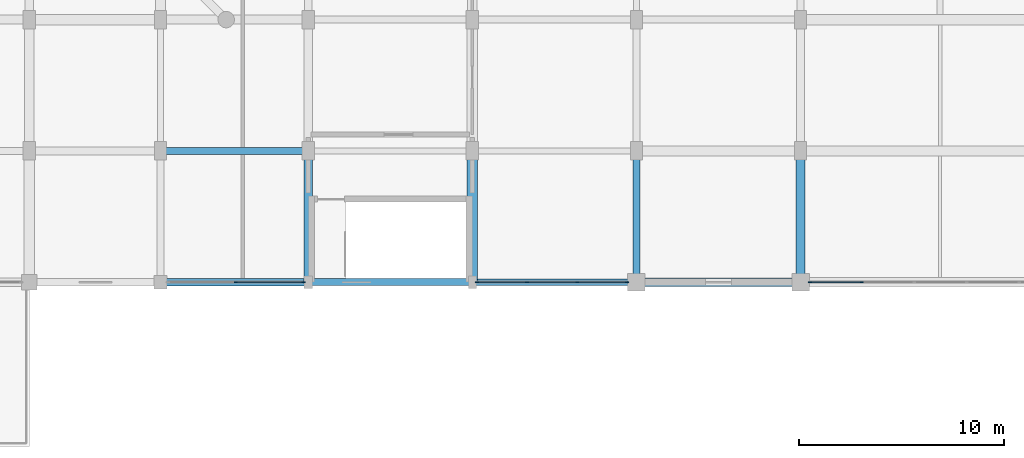
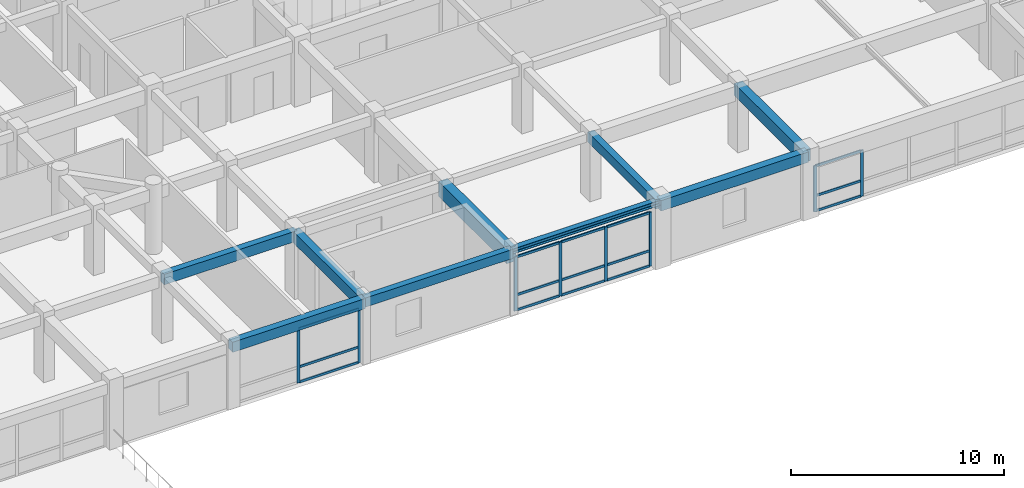
# One storey, part 9 of 27: 23 members, 9 beams, 3 elements without a shape of their own.
"""IFC4 building model written with IfcOpenShell, lengths in metres."""

from ifc_helpers import new_model, si_unit, direction, frame, origin, origin_2d, place, context, subcontext, project, spatial, rectangle, i_section, extrude, material, material_profile, profile_set, type_object, element, aggregate, save


model = new_model("IFC4")

# Units and contexts
model_context = context("Model", 3, precision=1e-05, world=origin(), true_north=direction((0.0, 1.0)))
body_context = subcontext(model_context, "Body", "Model", "MODEL_VIEW")
ifc_project = project(units=[si_unit("LENGTHUNIT", "METRE"), si_unit("AREAUNIT", "SQUARE_METRE"), si_unit("VOLUMEUNIT", "CUBIC_METRE"), si_unit("PLANEANGLEUNIT", "RADIAN"), si_unit("MASSUNIT", "GRAM", prefix="KILO")], contexts=[model_context])

# Site, building, storey
site_placement = place(None, origin())
site = spatial("IfcSite", under=ifc_project, at=site_placement, CompositionType="ELEMENT")
building_placement = place(site_placement, origin())
building = spatial("IfcBuilding", under=site, at=building_placement, Name="Vellmiral Cinema and Media Centre", CompositionType="ELEMENT")
storey_placement = place(building_placement, frame((0.0, 0.0, 19.800048828125)))
storey = spatial("IfcBuildingStorey", under=building, at=storey_placement, Name="L04", CompositionType="ELEMENT", Elevation=19.800048828125)

# Beams
ifc_material_1 = material(Name="Concrete C40/50", Category="concrete")
ifc_material_profile_1 = material_profile(ifc_material_1, rectangle(XDim=0.35009765625, YDim=0.550048828125, at=origin_2d()), Name="RC 350x550")
ifc_profile_set_1 = profile_set([ifc_material_profile_1], Name="Concrete C40/50")
beam_type_1 = type_object("IfcBeamType", Name="BM-RC-350x550", PredefinedType="BEAM", material=ifc_profile_set_1)
beam_1_placement = place(storey_placement, frame((140.0, 59.199951171875, 3.419921875), z_axis=(0.0, 1.0, 0.0), x_axis=(-1.0, 0.0, 0.0)))
element("IfcBeam", 1, at=beam_1_placement, inside=storey, type_object=beam_type_1, Name="Grid Beam L04-Y089", PredefinedType="BEAM", context=body_context, shape_type="SweptSolid", body=[
    extrude(rectangle(XDim=0.35009765625, YDim=0.550048828125, at=origin_2d()), origin(), (0.0, 0.0, 1.0), 6.400146484375),
])
ifc_material_2 = material(Name="Concrete C40/50", Category="concrete")
ifc_material_profile_2 = material_profile(ifc_material_2, rectangle(XDim=0.35009765625, YDim=0.60009765625, at=origin_2d()), Name="RC 350x600")
ifc_profile_set_2 = profile_set([ifc_material_profile_2], Name="Concrete C40/50")
beam_type_2 = type_object("IfcBeamType", Name="BM-RC-350x600", PredefinedType="BEAM", material=ifc_profile_set_2)
beam_2_placement = place(storey_placement, frame((116.800048828125, 65.60009765625, 3.39501953125), z_axis=(1.0, 0.0, 0.0), x_axis=(0.0, 1.0, 0.0)))
element("IfcBeam", 2, at=beam_2_placement, inside=storey, type_object=beam_type_2, Name="Grid Beam L04-X010", PredefinedType="BEAM", context=body_context, shape_type="SweptSolid", body=[
    extrude(rectangle(XDim=0.35009765625, YDim=0.60009765625, at=origin_2d()), origin(), (0.0, 0.0, 1.0), 7.199951171875),
])
ifc_material_3 = material(Name="Concrete C40/50", Category="concrete")
ifc_material_profile_3 = material_profile(ifc_material_3, rectangle(XDim=0.39990234375, YDim=0.64990234375, at=origin_2d()), Name="RC 400x650")
ifc_profile_set_3 = profile_set([ifc_material_profile_3], Name="Concrete C40/50")
beam_type_3 = type_object("IfcBeamType", Name="BM-RC-400x650", PredefinedType="BEAM", material=ifc_profile_set_3)
beam_3_placement = place(storey_placement, frame((124.0, 59.199951171875, 3.369873046875), z_axis=(0.0, 1.0, 0.0), x_axis=(-1.0, 0.0, 0.0)))
element("IfcBeam", 3, at=beam_3_placement, inside=storey, type_object=beam_type_3, Name="Grid Beam L04-Y075", PredefinedType="BEAM", context=body_context, shape_type="SweptSolid", body=[
    extrude(rectangle(XDim=0.39990234375, YDim=0.64990234375, at=origin_2d()), origin(), (0.0, 0.0, 1.0), 6.400146484375),
])
ifc_material_4 = material(Name="Concrete C40/50", Category="concrete")
ifc_material_profile_4 = material_profile(ifc_material_4, rectangle(XDim=0.449951171875, YDim=0.699951171875, at=origin_2d()), Name="RC 450x700")
ifc_profile_set_4 = profile_set([ifc_material_profile_4], Name="Concrete C40/50")
beam_type_4 = type_object("IfcBeamType", Name="BM-RC-450x700", PredefinedType="BEAM", material=ifc_profile_set_4)
beam_4_placement = place(storey_placement, frame((148.0, 59.199951171875, 3.344970703125), z_axis=(0.0, 1.0, 0.0), x_axis=(-1.0, 0.0, 0.0)))
element("IfcBeam", 4, at=beam_4_placement, inside=storey, type_object=beam_type_4, Name="Grid Beam L04-Y096", PredefinedType="BEAM", context=body_context, shape_type="SweptSolid", body=[
    extrude(rectangle(XDim=0.449951171875, YDim=0.699951171875, at=origin_2d()), origin(), (0.0, 0.0, 1.0), 6.400146484375),
])
ifc_material_5 = material(Name="Concrete C40/50", Category="concrete")
ifc_material_profile_5 = material_profile(ifc_material_5, rectangle(XDim=0.5, YDim=0.85009765625, at=origin_2d()), Name="RC 500x850")
ifc_profile_set_5 = profile_set([ifc_material_profile_5], Name="Concrete C40/50")
beam_type_5 = type_object("IfcBeamType", Name="BM-RC-500x850", PredefinedType="BEAM", material=ifc_profile_set_5)
beam_5_placement = place(storey_placement, frame((132.0, 59.199951171875, 3.27001953125), z_axis=(0.0, 1.0, 0.0), x_axis=(-1.0, 0.0, 0.0)))
element("IfcBeam", 5, at=beam_5_placement, inside=storey, type_object=beam_type_5, Name="Grid Beam L04-Y082", PredefinedType="BEAM", context=body_context, shape_type="SweptSolid", body=[
    extrude(rectangle(XDim=0.5, YDim=0.85009765625, at=origin_2d()), origin(), (0.0, 0.0, 1.0), 6.400146484375),
])

# Curtain wall, members
ifc_material_6 = material(Name="Thermally Broken Aluminium and Triple Glazing", Category="aluminium")
curtain_wall_type = type_object("IfcCurtainWallType", Name="CW-TOWER-LOW-S", PredefinedType="USERDEFINED", material=ifc_material_6)
curtain_wall_1_placement = place(storey_placement, origin())
curtain_wall_1 = element("IfcCurtainWall", 6, at=curtain_wall_1_placement, inside=storey, type_object=curtain_wall_type, Name="Curtain Wall L04-B005", ObjectType="UNITISED CURTAIN WALL", PredefinedType="USERDEFINED")
ifc_material_7 = material(Name="Thermally Broken Anodised Aluminium", Category="aluminium")
ifc_material_profile_6 = material_profile(ifc_material_7, rectangle(XDim=0.06494140625, YDim=0.159912109375, at=origin_2d()), Name="MULL 65x160")
ifc_profile_set_6 = profile_set([ifc_material_profile_6], Name="Thermally Broken Anodised Aluminium")
member_type_1 = type_object("IfcMemberType", Name="CWM-65x160", PredefinedType="MULLION", material=ifc_profile_set_6)
member_1_placement = place(storey_placement, frame((120.46240234375, 59.199951171875, 0.0), z_axis=(0.0, 0.0, 1.0), x_axis=(0.0, 1.0, 0.0)))
member_1 = element("IfcMember", 7, at=member_1_placement, type_object=member_type_1, Name="CW-06 mullion 2", PredefinedType="MULLION", context=body_context, shape_type="SweptSolid", body=[
    extrude(rectangle(XDim=0.06494140625, YDim=0.159912109375, at=origin_2d()), origin(), (0.0, 0.0, 1.0), 3.099853515625),
])
member_2_placement = place(storey_placement, frame((123.767578125, 59.199951171875, 0.0), z_axis=(0.0, 0.0, 1.0), x_axis=(0.0, 1.0, 0.0)))
member_2 = element("IfcMember", 8, at=member_2_placement, type_object=member_type_1, Name="CW-06 mullion 3", PredefinedType="MULLION", context=body_context, shape_type="SweptSolid", body=[
    extrude(rectangle(XDim=0.06494140625, YDim=0.159912109375, at=origin_2d()), origin(), (0.0, 0.0, 1.0), 3.099853515625),
])

curtain_wall_2_placement = place(storey_placement, origin())
curtain_wall_2 = element("IfcCurtainWall", 9, at=curtain_wall_2_placement, inside=storey, type_object=curtain_wall_type, Name="Curtain Wall L04-B007", ObjectType="UNITISED CURTAIN WALL", PredefinedType="USERDEFINED")
member_3_placement = place(storey_placement, frame((132.232421875, 59.199951171875, 0.0), z_axis=(0.0, 0.0, 1.0), x_axis=(0.0, 1.0, 0.0)))
member_3 = element("IfcMember", 10, at=member_3_placement, type_object=member_type_1, Name="CW-06 mullion 1", PredefinedType="MULLION", context=body_context, shape_type="SweptSolid", body=[
    extrude(rectangle(XDim=0.06494140625, YDim=0.159912109375, at=origin_2d()), origin(), (0.0, 0.0, 1.0), 3.099853515625),
])
member_4_placement = place(storey_placement, frame((134.658447265625, 59.199951171875, 0.0), z_axis=(0.0, 0.0, 1.0), x_axis=(0.0, 1.0, 0.0)))
member_4 = element("IfcMember", 11, at=member_4_placement, type_object=member_type_1, Name="CW-06 mullion 2", PredefinedType="MULLION", context=body_context, shape_type="SweptSolid", body=[
    extrude(rectangle(XDim=0.06494140625, YDim=0.159912109375, at=origin_2d()), origin(), (0.0, 0.0, 1.0), 3.099853515625),
])
member_5_placement = place(storey_placement, frame((137.11669921875, 59.199951171875, 0.0), z_axis=(0.0, 0.0, 1.0), x_axis=(0.0, 1.0, 0.0)))
member_5 = element("IfcMember", 12, at=member_5_placement, type_object=member_type_1, Name="CW-06 mullion 3", PredefinedType="MULLION", context=body_context, shape_type="SweptSolid", body=[
    extrude(rectangle(XDim=0.06494140625, YDim=0.159912109375, at=origin_2d()), origin(), (0.0, 0.0, 1.0), 3.099853515625),
])
member_6_placement = place(storey_placement, frame((139.54248046875, 59.199951171875, 0.0), z_axis=(0.0, 0.0, 1.0), x_axis=(0.0, 1.0, 0.0)))
member_6 = element("IfcMember", 13, at=member_6_placement, type_object=member_type_1, Name="CW-06 mullion 4", PredefinedType="MULLION", context=body_context, shape_type="SweptSolid", body=[
    extrude(rectangle(XDim=0.06494140625, YDim=0.159912109375, at=origin_2d()), origin(), (0.0, 0.0, 1.0), 3.099853515625),
])

curtain_wall_3_placement = place(storey_placement, origin())
curtain_wall_3 = element("IfcCurtainWall", 14, at=curtain_wall_3_placement, inside=storey, type_object=curtain_wall_type, Name="Curtain Wall L04-B009", ObjectType="UNITISED CURTAIN WALL", PredefinedType="USERDEFINED")
member_7_placement = place(storey_placement, frame((148.45751953125, 59.199951171875, 0.0), z_axis=(0.0, 0.0, 1.0), x_axis=(0.0, 1.0, 0.0)))
member_7 = element("IfcMember", 15, at=member_7_placement, type_object=member_type_1, Name="CW-06 mullion 1", PredefinedType="MULLION", context=body_context, shape_type="SweptSolid", body=[
    extrude(rectangle(XDim=0.06494140625, YDim=0.159912109375, at=origin_2d()), origin(), (0.0, 0.0, 1.0), 2.635009765625),
])
member_8_placement = place(storey_placement, frame((150.985107421875, 59.199951171875, 0.0), z_axis=(0.0, 0.0, 1.0), x_axis=(0.0, 1.0, 0.0)))
member_8 = element("IfcMember", 16, at=member_8_placement, type_object=member_type_1, Name="CW-06 mullion 2", PredefinedType="MULLION", context=body_context, shape_type="SweptSolid", body=[
    extrude(rectangle(XDim=0.06494140625, YDim=0.159912109375, at=origin_2d()), origin(), (0.0, 0.0, 1.0), 2.635009765625),
])

# Member
ifc_material_8 = material(Name="Thermally Broken Anodised Aluminium", Category="aluminium")
ifc_material_profile_7 = material_profile(ifc_material_8, rectangle(XDim=0.06494140625, YDim=0.135009765625, at=origin_2d()), Name="MULL 65x135")
ifc_profile_set_7 = profile_set([ifc_material_profile_7], Name="Thermally Broken Anodised Aluminium")
member_type_2 = type_object("IfcMemberType", Name="CWT-65x135", PredefinedType="USERDEFINED", material=ifc_profile_set_7)
member_9_placement = place(storey_placement, frame((120.4951171875, 59.199951171875, 0.032470703125), z_axis=(1.0, 0.0, 0.0), x_axis=(0.0, 1.0, 0.0)))
member_9 = element("IfcMember", 17, at=member_9_placement, type_object=member_type_2, Name="CW-06 transom 2.1", ObjectType="TRANSOM", PredefinedType="USERDEFINED", context=body_context, shape_type="SweptSolid", body=[
    extrude(rectangle(XDim=0.06494140625, YDim=0.135009765625, at=origin_2d()), origin(), (0.0, 0.0, 1.0), 3.239990234375),
])

member_10_placement = place(storey_placement, frame((120.4951171875, 59.199951171875, 0.89990234375), z_axis=(1.0, 0.0, 0.0), x_axis=(0.0, 1.0, 0.0)))
member_10 = element("IfcMember", 18, at=member_10_placement, type_object=member_type_2, Name="CW-06 transom 2.2", ObjectType="TRANSOM", PredefinedType="USERDEFINED", context=body_context, shape_type="SweptSolid", body=[
    extrude(rectangle(XDim=0.06494140625, YDim=0.135009765625, at=origin_2d()), origin(), (0.0, 0.0, 1.0), 3.239990234375),
])

member_11_placement = place(storey_placement, frame((120.4951171875, 59.199951171875, 3.0673828125), z_axis=(1.0, 0.0, 0.0), x_axis=(0.0, 1.0, 0.0)))
member_11 = element("IfcMember", 19, at=member_11_placement, type_object=member_type_2, Name="CW-06 transom 2.3", ObjectType="TRANSOM", PredefinedType="USERDEFINED", context=body_context, shape_type="SweptSolid", body=[
    extrude(rectangle(XDim=0.06494140625, YDim=0.135009765625, at=origin_2d()), origin(), (0.0, 0.0, 1.0), 3.239990234375),
])

aggregate(curtain_wall_1, [member_1, member_2, member_9, member_10, member_11])

member_12_placement = place(storey_placement, frame((132.264892578125, 59.199951171875, 0.032470703125), z_axis=(1.0, 0.0, 0.0), x_axis=(0.0, 1.0, 0.0)))
member_12 = element("IfcMember", 20, at=member_12_placement, type_object=member_type_2, Name="CW-06 transom 1.1", ObjectType="TRANSOM", PredefinedType="USERDEFINED", context=body_context, shape_type="SweptSolid", body=[
    extrude(rectangle(XDim=0.06494140625, YDim=0.135009765625, at=origin_2d()), origin(), (0.0, 0.0, 1.0), 2.36083984375),
])

member_13_placement = place(storey_placement, frame((132.264892578125, 59.199951171875, 0.89990234375), z_axis=(1.0, 0.0, 0.0), x_axis=(0.0, 1.0, 0.0)))
member_13 = element("IfcMember", 21, at=member_13_placement, type_object=member_type_2, Name="CW-06 transom 1.2", ObjectType="TRANSOM", PredefinedType="USERDEFINED", context=body_context, shape_type="SweptSolid", body=[
    extrude(rectangle(XDim=0.06494140625, YDim=0.135009765625, at=origin_2d()), origin(), (0.0, 0.0, 1.0), 2.36083984375),
])

member_14_placement = place(storey_placement, frame((132.264892578125, 59.199951171875, 3.0673828125), z_axis=(1.0, 0.0, 0.0), x_axis=(0.0, 1.0, 0.0)))
member_14 = element("IfcMember", 22, at=member_14_placement, type_object=member_type_2, Name="CW-06 transom 1.3", ObjectType="TRANSOM", PredefinedType="USERDEFINED", context=body_context, shape_type="SweptSolid", body=[
    extrude(rectangle(XDim=0.06494140625, YDim=0.135009765625, at=origin_2d()), origin(), (0.0, 0.0, 1.0), 2.36083984375),
])

member_15_placement = place(storey_placement, frame((134.69091796875, 59.199951171875, 0.032470703125), z_axis=(1.0, 0.0, 0.0), x_axis=(0.0, 1.0, 0.0)))
member_15 = element("IfcMember", 23, at=member_15_placement, type_object=member_type_2, Name="CW-06 transom 2.1", ObjectType="TRANSOM", PredefinedType="USERDEFINED", context=body_context, shape_type="SweptSolid", body=[
    extrude(rectangle(XDim=0.06494140625, YDim=0.135009765625, at=origin_2d()), origin(), (0.0, 0.0, 1.0), 2.393310546875),
])

member_16_placement = place(storey_placement, frame((134.69091796875, 59.199951171875, 0.89990234375), z_axis=(1.0, 0.0, 0.0), x_axis=(0.0, 1.0, 0.0)))
member_16 = element("IfcMember", 24, at=member_16_placement, type_object=member_type_2, Name="CW-06 transom 2.2", ObjectType="TRANSOM", PredefinedType="USERDEFINED", context=body_context, shape_type="SweptSolid", body=[
    extrude(rectangle(XDim=0.06494140625, YDim=0.135009765625, at=origin_2d()), origin(), (0.0, 0.0, 1.0), 2.393310546875),
])

member_17_placement = place(storey_placement, frame((134.69091796875, 59.199951171875, 3.0673828125), z_axis=(1.0, 0.0, 0.0), x_axis=(0.0, 1.0, 0.0)))
member_17 = element("IfcMember", 25, at=member_17_placement, type_object=member_type_2, Name="CW-06 transom 2.3", ObjectType="TRANSOM", PredefinedType="USERDEFINED", context=body_context, shape_type="SweptSolid", body=[
    extrude(rectangle(XDim=0.06494140625, YDim=0.135009765625, at=origin_2d()), origin(), (0.0, 0.0, 1.0), 2.393310546875),
])

member_18_placement = place(storey_placement, frame((137.149169921875, 59.199951171875, 0.032470703125), z_axis=(1.0, 0.0, 0.0), x_axis=(0.0, 1.0, 0.0)))
member_18 = element("IfcMember", 26, at=member_18_placement, type_object=member_type_2, Name="CW-06 transom 3.1", ObjectType="TRANSOM", PredefinedType="USERDEFINED", context=body_context, shape_type="SweptSolid", body=[
    extrude(rectangle(XDim=0.06494140625, YDim=0.135009765625, at=origin_2d()), origin(), (0.0, 0.0, 1.0), 2.36083984375),
])

member_19_placement = place(storey_placement, frame((137.149169921875, 59.199951171875, 0.89990234375), z_axis=(1.0, 0.0, 0.0), x_axis=(0.0, 1.0, 0.0)))
member_19 = element("IfcMember", 27, at=member_19_placement, type_object=member_type_2, Name="CW-06 transom 3.2", ObjectType="TRANSOM", PredefinedType="USERDEFINED", context=body_context, shape_type="SweptSolid", body=[
    extrude(rectangle(XDim=0.06494140625, YDim=0.135009765625, at=origin_2d()), origin(), (0.0, 0.0, 1.0), 2.36083984375),
])

member_20_placement = place(storey_placement, frame((137.149169921875, 59.199951171875, 3.0673828125), z_axis=(1.0, 0.0, 0.0), x_axis=(0.0, 1.0, 0.0)))
member_20 = element("IfcMember", 28, at=member_20_placement, type_object=member_type_2, Name="CW-06 transom 3.3", ObjectType="TRANSOM", PredefinedType="USERDEFINED", context=body_context, shape_type="SweptSolid", body=[
    extrude(rectangle(XDim=0.06494140625, YDim=0.135009765625, at=origin_2d()), origin(), (0.0, 0.0, 1.0), 2.36083984375),
])

aggregate(curtain_wall_2, [member_3, member_4, member_5, member_6, member_12, member_13, member_14, member_15, member_16, member_17, member_18, member_19, member_20])

member_21_placement = place(storey_placement, frame((148.489990234375, 59.199951171875, 0.032470703125), z_axis=(1.0, 0.0, 0.0), x_axis=(0.0, 1.0, 0.0)))
member_21 = element("IfcMember", 29, at=member_21_placement, type_object=member_type_2, Name="CW-06 transom 1.1", ObjectType="TRANSOM", PredefinedType="USERDEFINED", context=body_context, shape_type="SweptSolid", body=[
    extrude(rectangle(XDim=0.06494140625, YDim=0.135009765625, at=origin_2d()), origin(), (0.0, 0.0, 1.0), 2.46240234375),
])

member_22_placement = place(storey_placement, frame((148.489990234375, 59.199951171875, 0.89990234375), z_axis=(1.0, 0.0, 0.0), x_axis=(0.0, 1.0, 0.0)))
member_22 = element("IfcMember", 30, at=member_22_placement, type_object=member_type_2, Name="CW-06 transom 1.2", ObjectType="TRANSOM", PredefinedType="USERDEFINED", context=body_context, shape_type="SweptSolid", body=[
    extrude(rectangle(XDim=0.06494140625, YDim=0.135009765625, at=origin_2d()), origin(), (0.0, 0.0, 1.0), 2.46240234375),
])

member_23_placement = place(storey_placement, frame((148.489990234375, 59.199951171875, 2.6025390625), z_axis=(1.0, 0.0, 0.0), x_axis=(0.0, 1.0, 0.0)))
member_23 = element("IfcMember", 31, at=member_23_placement, type_object=member_type_2, Name="CW-06 transom 1.3", ObjectType="TRANSOM", PredefinedType="USERDEFINED", context=body_context, shape_type="SweptSolid", body=[
    extrude(rectangle(XDim=0.06494140625, YDim=0.135009765625, at=origin_2d()), origin(), (0.0, 0.0, 1.0), 2.46240234375),
])

aggregate(curtain_wall_3, [member_7, member_8, member_21, member_22, member_23])

# Beams
ifc_material_9 = material(Name="Steel S355", Category="steel")
ifc_material_profile_8 = material_profile(ifc_material_9, i_section(OverallWidth=0.300048828125, OverallDepth=0.300048828125, WebThickness=0.010986328125, FlangeThickness=0.01904296875, FilletRadius=0.027099609375, at=origin_2d()), Name="HEB 300")
ifc_profile_set_8 = profile_set([ifc_material_profile_8], Name="Steel S355")
beam_type_6 = type_object("IfcBeamType", Name="SBM-HEB300", PredefinedType="SPANDREL", material=ifc_profile_set_8)
beam_6_placement = place(storey_placement, frame((132.0, 59.199951171875, 3.544921875), z_axis=(1.0, 0.0, 0.0), x_axis=(0.0, 1.0, 0.0)))
element("IfcBeam", 32, at=beam_6_placement, inside=storey, type_object=beam_type_6, Name="Grid Beam L04-X005", PredefinedType="SPANDREL", context=body_context, shape_type="SweptSolid", body=[
    extrude(i_section(OverallWidth=0.300048828125, OverallDepth=0.300048828125, WebThickness=0.010986328125, FlangeThickness=0.01904296875, FilletRadius=0.027099609375, at=origin_2d()), origin(), (0.0, 0.0, 1.0), 8.0),
])
ifc_material_10 = material(Name="Concrete C40/50", Category="concrete")
ifc_material_profile_9 = material_profile(ifc_material_10, rectangle(XDim=0.39990234375, YDim=0.60009765625, at=origin_2d()), Name="RC 400x600")
ifc_profile_set_9 = profile_set([ifc_material_profile_9], Name="Concrete C40/50")
beam_type_7 = type_object("IfcBeamType", Name="SPD-RC-400x600", PredefinedType="SPANDREL", material=ifc_profile_set_9)
beam_7_placement = place(storey_placement, frame((140.0, 59.199951171875, 3.39501953125), z_axis=(1.0, 0.0, 0.0), x_axis=(0.0, 1.0, 0.0)))
element("IfcBeam", 33, at=beam_7_placement, inside=storey, type_object=beam_type_7, Name="Grid Beam L04-X006", PredefinedType="SPANDREL", context=body_context, shape_type="SweptSolid", body=[
    extrude(rectangle(XDim=0.39990234375, YDim=0.60009765625, at=origin_2d()), origin(), (0.0, 0.0, 1.0), 8.0),
])
ifc_material_11 = material(Name="Vosges Red Sandstone Masonry", Category="masonry")
ifc_material_profile_10 = material_profile(ifc_material_11, rectangle(XDim=0.340087890625, YDim=0.52001953125, at=origin_2d()), Name="SAND 340x520")
ifc_profile_set_10 = profile_set([ifc_material_profile_10], Name="Vosges Red Sandstone Masonry")
beam_type_8 = type_object("IfcBeamType", Name="SPD-SAND-340x520", PredefinedType="SPANDREL", material=ifc_profile_set_10)
beam_8_placement = place(storey_placement, frame((124.0, 59.199951171875, 3.43505859375), z_axis=(1.0, 0.0, 0.0), x_axis=(0.0, 1.0, 0.0)))
element("IfcBeam", 34, at=beam_8_placement, inside=storey, type_object=beam_type_8, Name="Grid Beam L04-X004", PredefinedType="SPANDREL", context=body_context, shape_type="SweptSolid", body=[
    extrude(rectangle(XDim=0.340087890625, YDim=0.52001953125, at=origin_2d()), origin(), (0.0, 0.0, 1.0), 8.0),
])
ifc_material_12 = material(Name="Vosges Red Sandstone Masonry", Category="masonry")
ifc_material_profile_11 = material_profile(ifc_material_12, rectangle(XDim=0.3798828125, YDim=0.580078125, at=origin_2d()), Name="SAND 380x580")
ifc_profile_set_11 = profile_set([ifc_material_profile_11], Name="Vosges Red Sandstone Masonry")
beam_type_9 = type_object("IfcBeamType", Name="SPD-SAND-380x580", PredefinedType="SPANDREL", material=ifc_profile_set_11)
beam_9_placement = place(storey_placement, frame((116.800048828125, 59.199951171875, 3.405029296875), z_axis=(1.0, 0.0, 0.0), x_axis=(0.0, 1.0, 0.0)))
element("IfcBeam", 35, at=beam_9_placement, inside=storey, type_object=beam_type_9, Name="Grid Beam L04-X003", PredefinedType="SPANDREL", context=body_context, shape_type="SweptSolid", body=[
    extrude(rectangle(XDim=0.3798828125, YDim=0.580078125, at=origin_2d()), origin(), (0.0, 0.0, 1.0), 7.199951171875),
])

save(model, "model.ifc")
